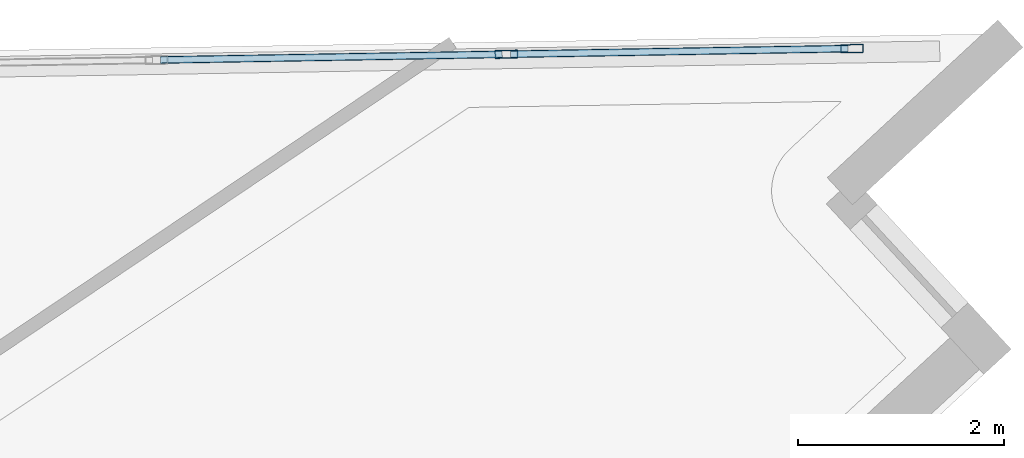
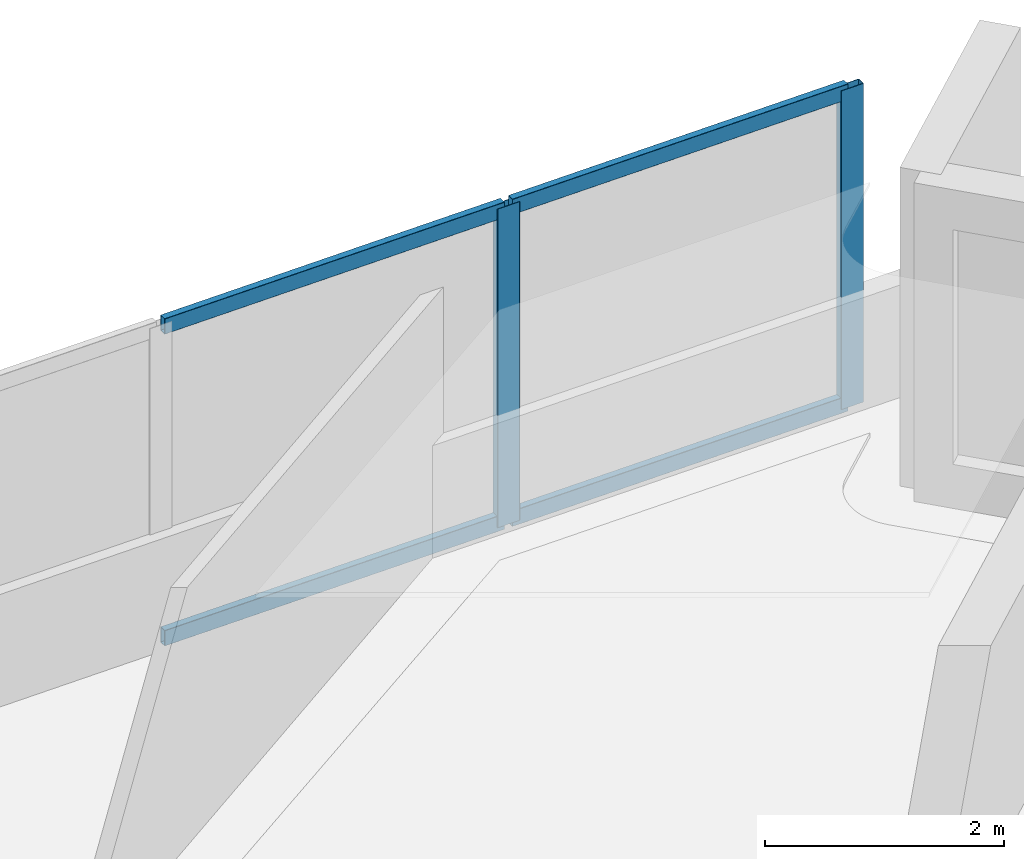
# One storey, part 7 of 14: 6 members, 1 element without a shape of its own.
"""IFC4 building model written with IfcOpenShell, lengths in metres."""

from ifc_helpers import new_model, si_unit, direction, frame, origin, origin_2d, place, context, subcontext, project, spatial, hollow_rectangle, extrude, material, material_profile, profile_set, type_object, element, aggregate, save


model = new_model("IFC4")

# Units and contexts
model_context = context("Model", 3, precision=1e-05, world=origin(), true_north=direction((0.0, 1.0)))
body_context = subcontext(model_context, "Body", "Model", "MODEL_VIEW")
ifc_project = project(units=[si_unit("LENGTHUNIT", "METRE"), si_unit("AREAUNIT", "SQUARE_METRE"), si_unit("VOLUMEUNIT", "CUBIC_METRE"), si_unit("PLANEANGLEUNIT", "RADIAN"), si_unit("MASSUNIT", "GRAM", prefix="KILO")], contexts=[model_context])

# Site, building, storey
site_placement = place(None, origin())
site = spatial("IfcSite", under=ifc_project, at=site_placement, CompositionType="ELEMENT")
building_placement = place(site_placement, origin())
building = spatial("IfcBuilding", under=site, at=building_placement, Name="Narakoshi Arena Tower", CompositionType="ELEMENT")
storey_placement = place(building_placement, frame((0.0, 0.0, 288.89990234375)))
storey = spatial("IfcBuildingStorey", under=building, at=storey_placement, Name="L79", CompositionType="ELEMENT", Elevation=288.89990234375)

# Curtain wall, members
ifc_material_1 = material(Name="Clear low-iron laminated structural glass", Category="glass")
curtain_wall_type = type_object("IfcCurtainWallType", Name="CW-OBS-TMD", PredefinedType="NOTDEFINED", material=ifc_material_1)
curtain_wall_placement = place(storey_placement, origin())
curtain_wall = element("IfcCurtainWall", 1, at=curtain_wall_placement, inside=storey, type_object=curtain_wall_type, Name="L79 Folded Hypotenuse Curtain Wall 1-1", PredefinedType="NOTDEFINED")
ifc_material_2 = material(Name="Anodised bronze aluminium 6063-T6", Category="aluminium")
ifc_material_profile_1 = material_profile(ifc_material_2, hollow_rectangle(XDim=0.080078125, YDim=0.219970703125, WallThickness=0.0048828125, OuterFilletRadius=0.006103515625, at=origin_2d()), Name="MUL220x80x5")
ifc_profile_set_1 = profile_set([ifc_material_profile_1], Name="Anodised bronze aluminium 6063-T6")
member_type_1 = type_object("IfcMemberType", Name="MEM-MUL-220", PredefinedType="MULLION", material=ifc_profile_set_1)
member_1_placement = place(storey_placement, frame((110.4189453125, 64.11767578125, 0.0), z_axis=(0.0, 0.0, 1.0), x_axis=(0.016444781281, -0.999864775441, 0.0)))
member_1 = element("IfcMember", 2, at=member_1_placement, type_object=member_type_1, Name="CW-05 mullion 1", PredefinedType="MULLION", context=body_context, shape_type="SweptSolid", body=[
    extrude(hollow_rectangle(XDim=0.080078125, YDim=0.219970703125, WallThickness=0.0048828125, OuterFilletRadius=0.006103515625, at=origin_2d()), origin(), (0.0, 0.0, 1.0), 3.260009765625),
])
member_2_placement = place(storey_placement, frame((107.0615234375, 64.0625, 0.0), z_axis=(0.0, 0.0, 1.0), x_axis=(0.016444781281, -0.999864775441, 0.0)))
member_2 = element("IfcMember", 3, at=member_2_placement, type_object=member_type_1, Name="CW-05 mullion 2", PredefinedType="MULLION", context=body_context, shape_type="SweptSolid", body=[
    extrude(hollow_rectangle(XDim=0.080078125, YDim=0.219970703125, WallThickness=0.0048828125, OuterFilletRadius=0.006103515625, at=origin_2d()), origin(), (0.0, 0.0, 1.0), 3.260009765625),
])
ifc_material_profile_2 = material_profile(ifc_material_2, hollow_rectangle(XDim=0.070068359375, YDim=0.159912109375, WallThickness=0.00390625, OuterFilletRadius=0.0048828125, at=origin_2d()), Name="TRN160x70x4")
ifc_profile_set_2 = profile_set([ifc_material_profile_2], Name="Anodised bronze aluminium 6063-T6")
member_type_2 = type_object("IfcMemberType", Name="MEM-TRN-160", PredefinedType="USERDEFINED", material=ifc_profile_set_2)
member_3_placement = place(storey_placement, frame((110.37890625, 64.1171875, 0.03515625), z_axis=(-0.999864511512, -0.016460820698, 0.0), x_axis=(0.016460820698, -0.999864511512, 0.0)))
member_3 = element("IfcMember", 4, at=member_3_placement, type_object=member_type_2, Name="CW-05 transom 1.1", ObjectType="TRANSOM", PredefinedType="USERDEFINED", context=body_context, shape_type="SweptSolid", body=[
    extrude(hollow_rectangle(XDim=0.070068359375, YDim=0.159912109375, WallThickness=0.00390625, OuterFilletRadius=0.0048828125, at=origin_2d()), origin(), (0.0, 0.0, 1.0), 3.27783203125),
])
member_4_placement = place(storey_placement, frame((110.37890625, 64.1171875, 3.22509765625), z_axis=(-0.999864511512, -0.016460820698, 0.0), x_axis=(0.016460820698, -0.999864511512, 0.0)))
member_4 = element("IfcMember", 5, at=member_4_placement, type_object=member_type_2, Name="CW-05 transom 1.2", ObjectType="TRANSOM", PredefinedType="USERDEFINED", context=body_context, shape_type="SweptSolid", body=[
    extrude(hollow_rectangle(XDim=0.070068359375, YDim=0.159912109375, WallThickness=0.00390625, OuterFilletRadius=0.0048828125, at=origin_2d()), origin(), (0.0, 0.0, 1.0), 3.27783203125),
])
member_5_placement = place(storey_placement, frame((107.021728515625, 64.061767578125, 0.03515625), z_axis=(-0.999865357882, -0.016409329909, 0.0), x_axis=(0.016409329909, -0.999865357882, 0.0)))
member_5 = element("IfcMember", 6, at=member_5_placement, type_object=member_type_2, Name="CW-05 transom 2.1", ObjectType="TRANSOM", PredefinedType="USERDEFINED", context=body_context, shape_type="SweptSolid", body=[
    extrude(hollow_rectangle(XDim=0.070068359375, YDim=0.159912109375, WallThickness=0.00390625, OuterFilletRadius=0.0048828125, at=origin_2d()), origin(), (0.0, 0.0, 1.0), 3.31787109375),
])
member_6_placement = place(storey_placement, frame((107.021728515625, 64.061767578125, 3.22509765625), z_axis=(-0.999865357882, -0.016409329909, 0.0), x_axis=(0.016409329909, -0.999865357882, 0.0)))
member_6 = element("IfcMember", 7, at=member_6_placement, type_object=member_type_2, Name="CW-05 transom 2.2", ObjectType="TRANSOM", PredefinedType="USERDEFINED", context=body_context, shape_type="SweptSolid", body=[
    extrude(hollow_rectangle(XDim=0.070068359375, YDim=0.159912109375, WallThickness=0.00390625, OuterFilletRadius=0.0048828125, at=origin_2d()), origin(), (0.0, 0.0, 1.0), 3.31787109375),
])
aggregate(curtain_wall, [member_1, member_2, member_3, member_4, member_5, member_6])

save(model, "model.ifc")
